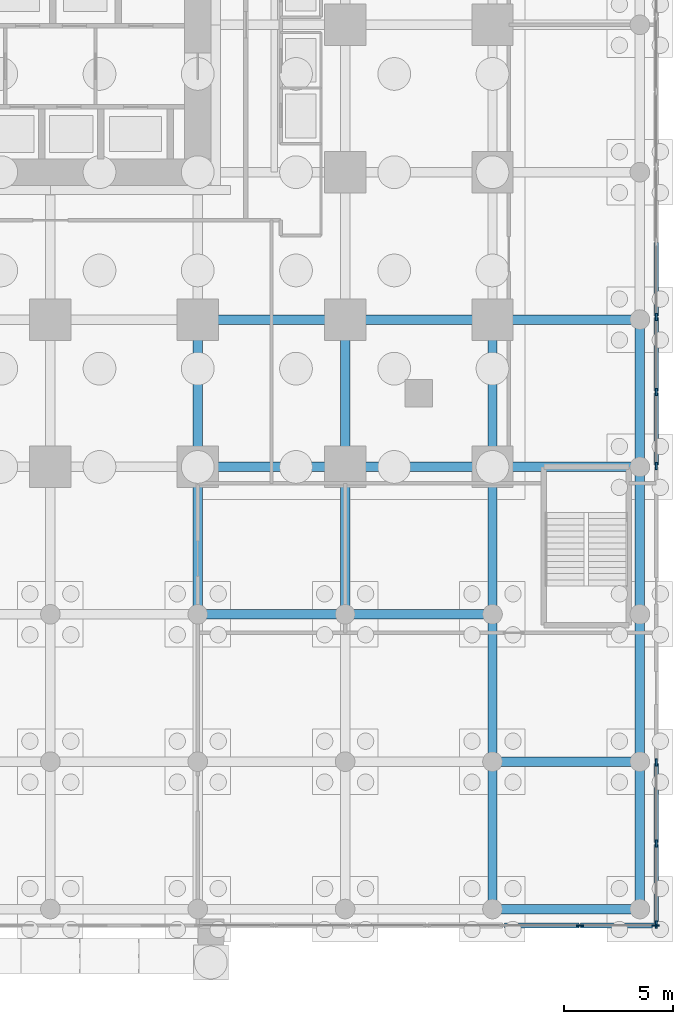
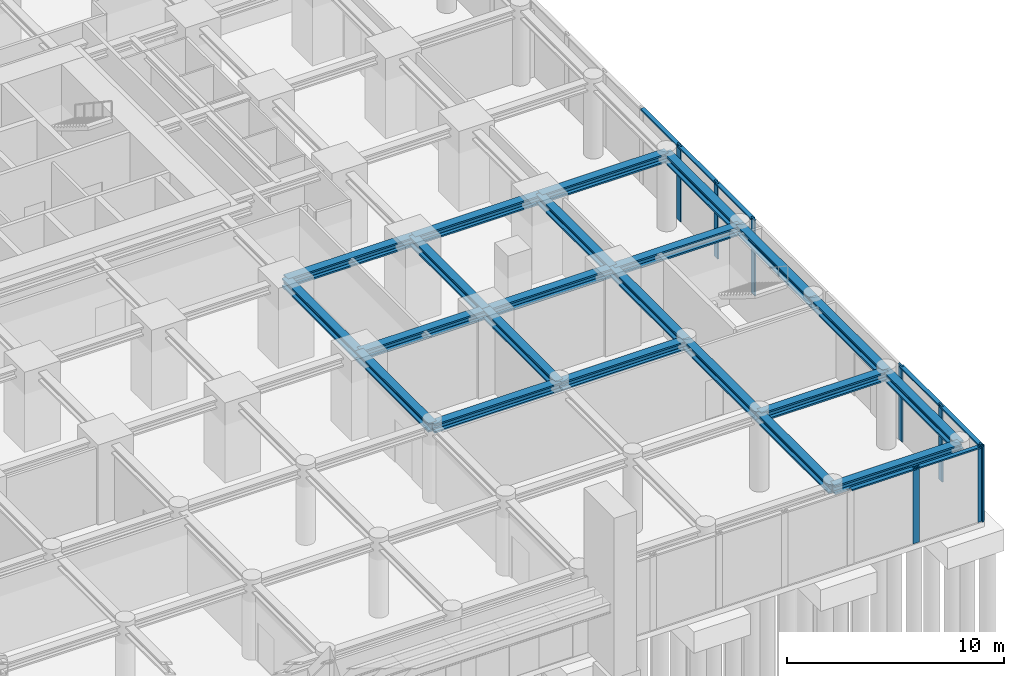
# One storey, part 4 of 14: 22 beams, 15 members, 3 elements without a shape of their own.
"""IFC4 building model written with IfcOpenShell, lengths in metres."""

from ifc_helpers import new_model, si_unit, direction, frame, origin, origin_2d, place, context, subcontext, project, spatial, rectangle, i_section, extrude, material, material_profile, profile_set, type_object, element, aggregate, save


model = new_model("IFC4")

# Units and contexts
model_context = context("Model", 3, precision=1e-05, world=origin(), true_north=direction((0.0, 1.0)))
body_context = subcontext(model_context, "Body", "Model", "MODEL_VIEW")
ifc_project = project(units=[si_unit("LENGTHUNIT", "METRE"), si_unit("AREAUNIT", "SQUARE_METRE"), si_unit("VOLUMEUNIT", "CUBIC_METRE"), si_unit("PLANEANGLEUNIT", "RADIAN"), si_unit("MASSUNIT", "GRAM", prefix="KILO")], contexts=[model_context])

# Site, building, storey
site_placement = place(None, origin())
site = spatial("IfcSite", under=ifc_project, at=site_placement, CompositionType="ELEMENT")
building_placement = place(site_placement, origin())
building = spatial("IfcBuilding", under=site, at=building_placement, Name="Nyansa Garden Tower", CompositionType="ELEMENT")
storey_placement = place(building_placement, origin())
storey = spatial("IfcBuildingStorey", under=building, at=storey_placement, Name="L00", CompositionType="ELEMENT", Elevation=0.0)

# Curtain wall, members
ifc_material_1 = material(Name="Black anodised aluminium, clear double glazing", Category="aluminium")
curtain_wall_type = type_object("IfcCurtainWallType", Name="Podium curtain wall PCW", PredefinedType="USERDEFINED", material=ifc_material_1)
curtain_wall_1_placement = place(storey_placement, origin())
curtain_wall_1 = element("IfcCurtainWall", 1, at=curtain_wall_1_placement, inside=storey, type_object=curtain_wall_type, Name="Podium curtain wall L00 E", ObjectType="STICK CURTAIN WALL", PredefinedType="USERDEFINED")
ifc_material_2 = material(Name="Black anodised aluminium", Category="aluminium")
ifc_material_profile_1 = material_profile(ifc_material_2, rectangle(XDim=0.080078125, YDim=0.35009765625, at=origin_2d()), Name="Mullion 350x80")
ifc_profile_set_1 = profile_set([ifc_material_profile_1], Name="Black anodised aluminium")
member_type_1 = type_object("IfcMemberType", Name="Mullion PCW 350x80", PredefinedType="MULLION", material=ifc_profile_set_1)
member_1_placement = place(storey_placement, frame((48.0, -20.9599609375, 0.0), z_axis=(0.0, 0.0, 1.0), x_axis=(-1.0, 0.0, 0.0)))
member_1 = element("IfcMember", 2, at=member_1_placement, type_object=member_type_1, Name="PCW mullion 1", PredefinedType="MULLION", context=body_context, shape_type="SweptSolid", body=[
    extrude(rectangle(XDim=0.080078125, YDim=0.35009765625, at=origin_2d()), origin(), (0.0, 0.0, 1.0), 4.25),
])
member_2_placement = place(storey_placement, frame((48.0, -17.25, 0.0), z_axis=(0.0, 0.0, 1.0), x_axis=(-1.0, 0.0, 0.0)))
member_2 = element("IfcMember", 3, at=member_2_placement, type_object=member_type_1, Name="PCW mullion 2", PredefinedType="MULLION", context=body_context, shape_type="SweptSolid", body=[
    extrude(rectangle(XDim=0.080078125, YDim=0.35009765625, at=origin_2d()), origin(), (0.0, 0.0, 1.0), 4.25),
])
member_3_placement = place(storey_placement, frame((48.0, -13.5400390625, 0.0), z_axis=(0.0, 0.0, 1.0), x_axis=(-1.0, 0.0, 0.0)))
member_3 = element("IfcMember", 4, at=member_3_placement, type_object=member_type_1, Name="PCW mullion 3", PredefinedType="MULLION", context=body_context, shape_type="SweptSolid", body=[
    extrude(rectangle(XDim=0.080078125, YDim=0.35009765625, at=origin_2d()), origin(), (0.0, 0.0, 1.0), 4.25),
])

curtain_wall_2_placement = place(storey_placement, origin())
curtain_wall_2 = element("IfcCurtainWall", 5, at=curtain_wall_2_placement, inside=storey, type_object=curtain_wall_type, Name="Podium curtain wall L00 E", ObjectType="STICK CURTAIN WALL", PredefinedType="USERDEFINED")
member_4_placement = place(storey_placement, frame((48.0, 0.0400390625, 0.0), z_axis=(0.0, 0.0, 1.0), x_axis=(-1.0, 0.0, 0.0)))
member_4 = element("IfcMember", 6, at=member_4_placement, type_object=member_type_1, Name="PCW mullion 1", PredefinedType="MULLION", context=body_context, shape_type="SweptSolid", body=[
    extrude(rectangle(XDim=0.080078125, YDim=0.35009765625, at=origin_2d()), origin(), (0.0, 0.0, 1.0), 4.25),
])
member_5_placement = place(storey_placement, frame((48.0, 3.4375, 0.0), z_axis=(0.0, 0.0, 1.0), x_axis=(-1.0, 0.0, 0.0)))
member_5 = element("IfcMember", 7, at=member_5_placement, type_object=member_type_1, Name="PCW mullion 2", PredefinedType="MULLION", context=body_context, shape_type="SweptSolid", body=[
    extrude(rectangle(XDim=0.080078125, YDim=0.35009765625, at=origin_2d()), origin(), (0.0, 0.0, 1.0), 4.25),
])
member_6_placement = place(storey_placement, frame((48.0, 6.875, 0.0), z_axis=(0.0, 0.0, 1.0), x_axis=(-1.0, 0.0, 0.0)))
member_6 = element("IfcMember", 8, at=member_6_placement, type_object=member_type_1, Name="PCW mullion 3", PredefinedType="MULLION", context=body_context, shape_type="SweptSolid", body=[
    extrude(rectangle(XDim=0.080078125, YDim=0.35009765625, at=origin_2d()), origin(), (0.0, 0.0, 1.0), 4.25),
])

curtain_wall_3_placement = place(storey_placement, origin())
curtain_wall_3 = element("IfcCurtainWall", 9, at=curtain_wall_3_placement, inside=storey, type_object=curtain_wall_type, Name="Podium curtain wall L00 S", ObjectType="STICK CURTAIN WALL", PredefinedType="USERDEFINED")
member_7_placement = place(storey_placement, frame((44.5, -21.0, 0.0), z_axis=(0.0, 0.0, 1.0), x_axis=(0.0, 1.0, 0.0)))
member_7 = element("IfcMember", 10, at=member_7_placement, type_object=member_type_1, Name="PCW mullion 6", PredefinedType="MULLION", context=body_context, shape_type="SweptSolid", body=[
    extrude(rectangle(XDim=0.080078125, YDim=0.35009765625, at=origin_2d()), origin(), (0.0, 0.0, 1.0), 4.25),
])
member_8_placement = place(storey_placement, frame((47.9599609375, -21.0, 0.0), z_axis=(0.0, 0.0, 1.0), x_axis=(0.0, 1.0, 0.0)))
member_8 = element("IfcMember", 11, at=member_8_placement, type_object=member_type_1, Name="PCW mullion 7", PredefinedType="MULLION", context=body_context, shape_type="SweptSolid", body=[
    extrude(rectangle(XDim=0.080078125, YDim=0.35009765625, at=origin_2d()), origin(), (0.0, 0.0, 1.0), 4.25),
])

# Beams
ifc_material_3 = material(Name="Steel S355", Category="steel")
ifc_material_profile_2 = material_profile(ifc_material_3, i_section(OverallWidth=0.431884765625, OverallDepth=0.498046875, WebThickness=0.0556640625, FlangeThickness=0.0888671875, FilletRadius=0.014892578125, at=origin_2d()), Name="HD 400x744")
ifc_profile_set_2 = profile_set([ifc_material_profile_2], Name="Steel S355")
beam_type_1 = type_object("IfcBeamType", Name="Steel beam SBP1-744 HD 400x744", PredefinedType="BEAM", material=ifc_profile_set_2)
for number, where, z_axis, x_axis, name in (
    (12, (27.0, -6.75, 4.0009765625), (0.0, 1.0, 0.0), (-1.0, 0.0, 0.0), "Steel beam 6/C-6/D L01"),
    (13, (27.0, -6.75, 4.0009765625), (1.0, 0.0, 0.0), (0.0, 1.0, 0.0), "Steel beam 6/C-7/C L01"),
    (14, (27.0, 0.0, 4.0009765625), (0.0, 1.0, 0.0), (-1.0, 0.0, 0.0), "Steel beam 6/D-6/E L01"),
    (15, (27.0, 0.0, 4.0009765625), (1.0, 0.0, 0.0), (0.0, 1.0, 0.0), "Steel beam 6/D-7/D L01"),
    (16, (27.0, 6.75, 4.0009765625), (1.0, 0.0, 0.0), (0.0, 1.0, 0.0), "Steel beam 6/E-7/E L01"),
    (17, (33.75, -6.75, 4.0009765625), (0.0, 1.0, 0.0), (-1.0, 0.0, 0.0), "Steel beam 7/C-7/D L01"),
    (18, (33.75, -6.75, 4.0009765625), (1.0, 0.0, 0.0), (0.0, 1.0, 0.0), "Steel beam 7/C-8/C L01"),
    (19, (33.75, 0.0, 4.0009765625), (0.0, 1.0, 0.0), (-1.0, 0.0, 0.0), "Steel beam 7/D-7/E L01"),
    (20, (33.75, 0.0, 4.0009765625), (1.0, 0.0, 0.0), (0.0, 1.0, 0.0), "Steel beam 7/D-8/D L01"),
    (21, (33.75, 6.75, 4.0009765625), (1.0, 0.0, 0.0), (0.0, 1.0, 0.0), "Steel beam 7/E-8/E L01"),
    (22, (40.5, -20.25, 4.0009765625), (0.0, 1.0, 0.0), (-1.0, 0.0, 0.0), "Steel beam 8/A-8/B L01"),
    (23, (40.5, -13.5, 4.0009765625), (0.0, 1.0, 0.0), (-1.0, 0.0, 0.0), "Steel beam 8/B-8/C L01"),
    (24, (40.5, -13.5, 4.0009765625), (1.0, 0.0, 0.0), (0.0, 1.0, 0.0), "Steel beam 8/B-9/B L01"),
    (25, (40.5, -6.75, 4.0009765625), (0.0, 1.0, 0.0), (-1.0, 0.0, 0.0), "Steel beam 8/C-8/D L01"),
    (26, (40.5, 0.0, 4.0009765625), (0.0, 1.0, 0.0), (-1.0, 0.0, 0.0), "Steel beam 8/D-8/E L01"),
    (27, (40.5, 0.0, 4.0009765625), (1.0, 0.0, 0.0), (0.0, 1.0, 0.0), "Steel beam 8/D-9/D L01"),
    (28, (40.5, 6.75, 4.0009765625), (1.0, 0.0, 0.0), (0.0, 1.0, 0.0), "Steel beam 8/E-9/E L01"),
):
    element("IfcBeam", number, at=place(storey_placement, frame(where, z_axis=z_axis, x_axis=x_axis)), inside=storey, type_object=beam_type_1, Name=name, PredefinedType="BEAM", context=body_context, shape_type="SweptSolid", body=[
        extrude(i_section(OverallWidth=0.431884765625, OverallDepth=0.498046875, WebThickness=0.0556640625, FlangeThickness=0.0888671875, FilletRadius=0.014892578125, at=origin_2d()), origin(), (0.0, 0.0, 1.0), 6.75),
    ])
ifc_material_4 = material(Name="Steel S355", Category="steel")
ifc_material_profile_3 = material_profile(ifc_material_4, i_section(OverallWidth=0.431884765625, OverallDepth=0.498046875, WebThickness=0.0556640625, FlangeThickness=0.0888671875, FilletRadius=0.014892578125, at=origin_2d()), Name="HD 400x744")
ifc_profile_set_3 = profile_set([ifc_material_profile_3], Name="Steel S355")
beam_type_2 = type_object("IfcBeamType", Name="Steel beam SEBP-744 HD 400x744", PredefinedType="BEAM", material=ifc_profile_set_3)
for number, where, z_axis, x_axis, name in (
    (29, (40.5, -20.25, 4.0009765625), (1.0, 0.0, 0.0), (0.0, 1.0, 0.0), "Steel edge beam 8/A-9/A L01"),
    (30, (47.25, -20.25, 4.0009765625), (0.0, 1.0, 0.0), (-1.0, 0.0, 0.0), "Steel edge beam 9/A-9/B L01"),
    (31, (47.25, -13.5, 4.0009765625), (0.0, 1.0, 0.0), (-1.0, 0.0, 0.0), "Steel edge beam 9/B-9/C L01"),
    (32, (47.25, -6.75, 4.0009765625), (0.0, 1.0, 0.0), (-1.0, 0.0, 0.0), "Steel edge beam 9/C-9/D L01"),
    (33, (47.25, 0.0, 4.0009765625), (0.0, 1.0, 0.0), (-1.0, 0.0, 0.0), "Steel edge beam 9/D-9/E L01"),
):
    element("IfcBeam", number, at=place(storey_placement, frame(where, z_axis=z_axis, x_axis=x_axis)), inside=storey, type_object=beam_type_2, Name=name, PredefinedType="BEAM", context=body_context, shape_type="SweptSolid", body=[
        extrude(i_section(OverallWidth=0.431884765625, OverallDepth=0.498046875, WebThickness=0.0556640625, FlangeThickness=0.0888671875, FilletRadius=0.014892578125, at=origin_2d()), origin(), (0.0, 0.0, 1.0), 6.75),
    ])

# Member
ifc_material_5 = material(Name="Black anodised aluminium", Category="aluminium")
ifc_material_profile_4 = material_profile(ifc_material_5, rectangle(XDim=0.219970703125, YDim=0.080078125, at=origin_2d()), Name="Transom 220x80")
ifc_profile_set_4 = profile_set([ifc_material_profile_4], Name="Black anodised aluminium")
member_type_2 = type_object("IfcMemberType", Name="Transom PCW 220x80", PredefinedType="USERDEFINED", material=ifc_profile_set_4)
member_9_placement = place(storey_placement, frame((48.0, -20.919921875, 4.2099609375), z_axis=(0.0, 1.0, 0.0), x_axis=(-1.0, 0.0, 0.0)))
member_9 = element("IfcMember", 34, at=member_9_placement, type_object=member_type_2, Name="PCW transom 1", ObjectType="TRANSOM", PredefinedType="USERDEFINED", context=body_context, shape_type="SweptSolid", body=[
    extrude(rectangle(XDim=0.219970703125, YDim=0.080078125, at=origin_2d()), origin(), (0.0, 0.0, 1.0), 3.6298828125),
])

member_10_placement = place(storey_placement, frame((48.0, -17.2099609375, 4.2099609375), z_axis=(0.0, 1.0, 0.0), x_axis=(-1.0, 0.0, 0.0)))
member_10 = element("IfcMember", 35, at=member_10_placement, type_object=member_type_2, Name="PCW transom 2", ObjectType="TRANSOM", PredefinedType="USERDEFINED", context=body_context, shape_type="SweptSolid", body=[
    extrude(rectangle(XDim=0.219970703125, YDim=0.080078125, at=origin_2d()), origin(), (0.0, 0.0, 1.0), 3.6298828125),
])

aggregate(curtain_wall_1, [member_1, member_2, member_3, member_9, member_10])

member_11_placement = place(storey_placement, frame((48.0, 0.080078125, 4.2099609375), z_axis=(0.0, 1.0, 0.0), x_axis=(-1.0, 0.0, 0.0)))
member_11 = element("IfcMember", 36, at=member_11_placement, type_object=member_type_2, Name="PCW transom 1", ObjectType="TRANSOM", PredefinedType="USERDEFINED", context=body_context, shape_type="SweptSolid", body=[
    extrude(rectangle(XDim=0.219970703125, YDim=0.080078125, at=origin_2d()), origin(), (0.0, 0.0, 1.0), 3.3173828125),
])

member_12_placement = place(storey_placement, frame((48.0, 3.4775390625, 4.2099609375), z_axis=(0.0, 1.0, 0.0), x_axis=(-1.0, 0.0, 0.0)))
member_12 = element("IfcMember", 37, at=member_12_placement, type_object=member_type_2, Name="PCW transom 2", ObjectType="TRANSOM", PredefinedType="USERDEFINED", context=body_context, shape_type="SweptSolid", body=[
    extrude(rectangle(XDim=0.219970703125, YDim=0.080078125, at=origin_2d()), origin(), (0.0, 0.0, 1.0), 3.357421875),
])

member_13_placement = place(storey_placement, frame((48.0, 6.9150390625, 4.2099609375), z_axis=(0.0, 1.0, 0.0), x_axis=(-1.0, 0.0, 0.0)))
member_13 = element("IfcMember", 38, at=member_13_placement, type_object=member_type_2, Name="PCW transom 3", ObjectType="TRANSOM", PredefinedType="USERDEFINED", context=body_context, shape_type="SweptSolid", body=[
    extrude(rectangle(XDim=0.219970703125, YDim=0.080078125, at=origin_2d()), origin(), (0.0, 0.0, 1.0), 3.357421875),
])

aggregate(curtain_wall_2, [member_4, member_5, member_6, member_11, member_12, member_13])

member_14_placement = place(storey_placement, frame((41.0400390625, -21.0, 4.2099609375), z_axis=(1.0, 0.0, 0.0), x_axis=(0.0, 1.0, 0.0)))
member_14 = element("IfcMember", 39, at=member_14_placement, type_object=member_type_2, Name="PCW transom 5", ObjectType="TRANSOM", PredefinedType="USERDEFINED", context=body_context, shape_type="SweptSolid", body=[
    extrude(rectangle(XDim=0.219970703125, YDim=0.080078125, at=origin_2d()), origin(), (0.0, 0.0, 1.0), 3.419921875),
])

member_15_placement = place(storey_placement, frame((44.5400390625, -21.0, 4.2099609375), z_axis=(1.0, 0.0, 0.0), x_axis=(0.0, 1.0, 0.0)))
member_15 = element("IfcMember", 40, at=member_15_placement, type_object=member_type_2, Name="PCW transom 6", ObjectType="TRANSOM", PredefinedType="USERDEFINED", context=body_context, shape_type="SweptSolid", body=[
    extrude(rectangle(XDim=0.219970703125, YDim=0.080078125, at=origin_2d()), origin(), (0.0, 0.0, 1.0), 3.3798828125),
])

aggregate(curtain_wall_3, [member_7, member_8, member_14, member_15])

save(model, "model.ifc")
